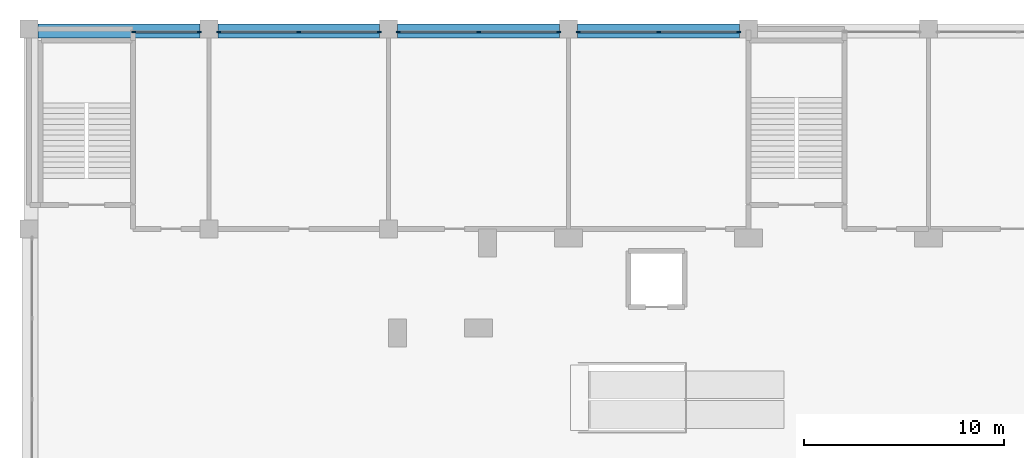
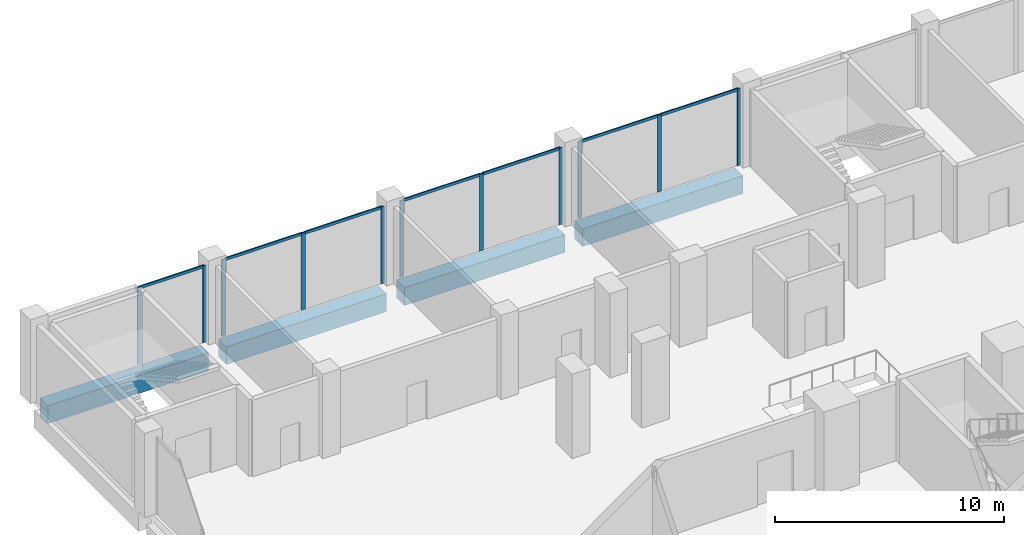
# One storey, part 10 of 22: 18 members, 4 beams, 4 elements without a shape of their own.
"""IFC4 building model written with IfcOpenShell, lengths in metres."""

import ifcopenshell
import ifcopenshell.guid

model = None  # the IFC model being written
_history = None  # IfcOwnerHistory: only IFC2X3 demands one
_inside = {}  # id of a spatial element -> (the spatial element, [elements in it])
_under = {}  # id of a project, library or spatial element -> (it, [spatial elements below it])
_declared = {}  # id of a project -> (the project, [libraries it declares])
_typed = {}  # id of a type object -> (the type object, [elements of that type])
_made_of = {}  # id of a material, layer set ... -> (it, [elements and type objects made of it])


def new_model(schema):
    """Start an empty IFC model of exactly this schema.

    Asked for "IFC4X3", IfcOpenShell would pick the latest addendum, in which some entities
    have other attributes; the version numbers below select the first issue.
    IFC2X3 requires an IfcOwnerHistory on every rooted entity: one is made here for all.
    """
    global model, _history
    if schema == "IFC4X3":
        model = ifcopenshell.file(schema_version=(4, 3, 0, 0))
    else:
        model = ifcopenshell.file(schema=schema)
    _inside.clear()
    _under.clear()
    _declared.clear()
    _typed.clear()
    _made_of.clear()
    _history = None
    if model.schema == "IFC2X3":
        org = make("IfcOrganization", Name="unknown")
        user = make(
            "IfcPersonAndOrganization",
            ThePerson=make("IfcPerson", FamilyName="unknown"),
            TheOrganization=org,
        )
        app = make(
            "IfcApplication",
            ApplicationDeveloper=org,
            Version="unknown",
            ApplicationFullName="unknown",
            ApplicationIdentifier="unknown",
        )
        _history = make(
            "IfcOwnerHistory",
            OwningUser=user,
            OwningApplication=app,
            ChangeAction="ADDED",
            CreationDate=0,
        )
    return model


def make(cls, **values):
    """One entity of the class cls with the attributes given. An attribute that is None is left unset."""
    return model.create_entity(
        cls, **{name: value for name, value in values.items() if value is not None}
    )


def rooted(cls, **values):
    """An entity with a GlobalId (a new one), such as an element, a storey or a relation."""
    return make(cls, GlobalId=ifcopenshell.guid.new(), OwnerHistory=_history, **values)


def si_unit(unit_type, name, prefix=None):
    """IfcSIUnit, for example si_unit("LENGTHUNIT", "METRE", prefix="MILLI")."""
    return make("IfcSIUnit", UnitType=unit_type, Prefix=prefix, Name=name)


def assignment(units):
    """IfcUnitAssignment: the units of a project."""
    return None if units is None else make("IfcUnitAssignment", Units=units)


def point(xyz):
    """IfcCartesianPoint."""
    return None if xyz is None else make("IfcCartesianPoint", Coordinates=xyz)


def direction(xyz):
    """IfcDirection."""
    return None if xyz is None else make("IfcDirection", DirectionRatios=xyz)


def frame(location, z_axis=None, x_axis=None):
    """IfcAxis2Placement3D, a coordinate frame: its origin and axes. An axis left out is left unset."""
    return make(
        "IfcAxis2Placement3D",
        Location=point(location),
        Axis=direction(z_axis),
        RefDirection=direction(x_axis),
    )


def frame_2d(location, x_axis=None):
    """IfcAxis2Placement2D, a coordinate frame in the plane: its origin and x axis."""
    return make(
        "IfcAxis2Placement2D", Location=point(location), RefDirection=direction(x_axis)
    )


def origin():
    """The frame at (0, 0, 0) with its axes left unset."""
    return frame((0.0, 0.0, 0.0))


def origin_2d():
    """The frame at (0, 0) in the plane with its x axis left unset."""
    return frame_2d((0.0, 0.0))


def place(relative_to, where):
    """IfcLocalPlacement: puts the frame where relative to a parent placement (None: the world)."""
    return make(
        "IfcLocalPlacement", PlacementRelTo=relative_to, RelativePlacement=where
    )


def context(
    kind, dimensions, precision=None, world=None, true_north=None, identifier=None
):
    """IfcGeometricRepresentationContext, for example the 3D "Model" context."""
    return make(
        "IfcGeometricRepresentationContext",
        ContextIdentifier=identifier,
        ContextType=kind,
        CoordinateSpaceDimension=dimensions,
        Precision=precision,
        WorldCoordinateSystem=world,
        TrueNorth=true_north,
    )


def subcontext(parent, identifier, kind, view, scale=None):
    """IfcGeometricRepresentationSubContext, for example "Body" below "Model"."""
    return make(
        "IfcGeometricRepresentationSubContext",
        ContextIdentifier=identifier,
        ContextType=kind,
        ParentContext=parent,
        TargetScale=scale,
        TargetView=view,
    )


def project(units=None, contexts=None):
    """IfcProject with its units and contexts."""
    return rooted(
        "IfcProject",
        Name="project",
        RepresentationContexts=contexts,
        UnitsInContext=assignment(units),
    )


def spatial(cls, under=None, at=None, **own):
    """A site, building, storey or space (cls), placed at a placement, below another one or the project."""
    s = rooted(cls, ObjectPlacement=at, **own)
    if under is not None:
        _under.setdefault(under.id(), (under, []))[1].append(s)
    return s


def profile(cls, at=None, kind="AREA", **sizes):
    """A parametric profile (cls). Its sizes go by their IFC names, for example OverallWidth=200.0."""
    return make(cls, ProfileType=kind, Position=at, **sizes)


def rectangle(**sizes):
    """IfcRectangleProfileDef."""
    return profile("IfcRectangleProfileDef", **sizes)


def extrude(swept, where, along, depth):
    """IfcExtrudedAreaSolid: the profile swept, set in the frame where, extruded along a direction by depth."""
    return make(
        "IfcExtrudedAreaSolid",
        SweptArea=swept,
        Position=where,
        ExtrudedDirection=direction(along),
        Depth=depth,
    )


def shape(context_of_items, identifier, shape_type, items):
    """IfcShapeRepresentation: the items that make up one representation, for example the "Body"."""
    return make(
        "IfcShapeRepresentation",
        ContextOfItems=context_of_items,
        RepresentationIdentifier=identifier,
        RepresentationType=shape_type,
        Items=items,
    )


def material(Name=None, Category=None):
    """IfcMaterial."""
    return make("IfcMaterial", Name=Name, Category=Category)


def layer(
    of_material, thickness, ventilated=None, Name=None, Category=None, Priority=None
):
    """IfcMaterialLayer: one layer of a wall or slab, of a material (None: an air gap)."""
    return make(
        "IfcMaterialLayer",
        Material=of_material,
        LayerThickness=thickness,
        IsVentilated=ventilated,
        Name=Name,
        Category=Category,
        Priority=Priority,
    )


def layer_set(layers, Name=None):
    """IfcMaterialLayerSet."""
    return make("IfcMaterialLayerSet", MaterialLayers=layers, LayerSetName=Name)


def material_profile(
    of_material, cross_section, Name=None, Category=None, Priority=None
):
    """IfcMaterialProfile: a cross section and its material."""
    return make(
        "IfcMaterialProfile",
        Name=Name,
        Material=of_material,
        Profile=cross_section,
        Priority=Priority,
        Category=Category,
    )


def profile_set(profiles, Name=None, composite=None):
    """IfcMaterialProfileSet."""
    return make(
        "IfcMaterialProfileSet",
        Name=Name,
        MaterialProfiles=profiles,
        CompositeProfile=composite,
    )


def made_of(thing, what):
    """Note that an element or type object is made of a material, layer set ...; save() writes the relation."""
    if what is not None:
        _made_of.setdefault(what.id(), (what, []))[1].append(thing)
    return thing


def type_object(cls, material=None, **own):
    """A type object (cls), such as IfcWallType, which elements share."""
    return made_of(rooted(cls, **own), material)


def element(
    cls,
    number,
    at=None,
    inside=None,
    cuts=None,
    type_object=None,
    material=None,
    context=None,
    identifier="Body",
    shape_type=None,
    held_by="IfcProductDefinitionShape",
    body=None,
    shapes=None,
    **own,
):
    """One element of the class cls, such as IfcWall. Its Tag is "e" and its number.

    at: its placement. inside: the storey or other place that contains it. cuts: it is an
    opening in that element (IfcRelVoidsElement). A single representation is given by context,
    identifier, shape_type and body (its items); several are given by shapes. held_by: the class
    of the entity that holds the representations. save() writes the other relations.
    """
    e = rooted(cls, Tag="e%d" % number, ObjectPlacement=at, **own)
    if body is not None:
        shapes = [shape(context, identifier, shape_type, body)]
    if shapes is not None:
        e.Representation = make(held_by, Representations=shapes)
    if inside is not None:
        _inside.setdefault(inside.id(), (inside, []))[1].append(e)
    if cuts is not None:
        rooted(
            "IfcRelVoidsElement", RelatingBuildingElement=cuts, RelatedOpeningElement=e
        )
    if type_object is not None:
        _typed.setdefault(type_object.id(), (type_object, []))[1].append(e)
    return made_of(e, material)


def aggregate(whole, parts):
    """IfcRelAggregates: a whole, such as a stair, and the parts it consists of."""
    return rooted("IfcRelAggregates", RelatingObject=whole, RelatedObjects=parts)


def save(model, path):
    """Write the relations noted so far, then the file.

    IfcRelAggregates (storeys below a building ...), IfcRelContainedInSpatialStructure (elements
    in a storey), IfcRelDefinesByType, IfcRelAssociatesMaterial and IfcRelDeclares: one each for
    every whole, place, type object, material and project.
    """
    for whole, parts in _under.values():
        aggregate(whole, parts)
    for where, things in _inside.values():
        rooted(
            "IfcRelContainedInSpatialStructure",
            RelatedElements=things,
            RelatingStructure=where,
        )
    for kind, things in _typed.values():
        rooted("IfcRelDefinesByType", RelatedObjects=things, RelatingType=kind)
    for what, things in _made_of.values():
        rooted("IfcRelAssociatesMaterial", RelatedObjects=things, RelatingMaterial=what)
    for by, libraries in _declared.values():
        rooted("IfcRelDeclares", RelatingContext=by, RelatedDefinitions=libraries)
    model.write(path)


model = new_model("IFC4")

# Units and contexts
model_context = context("Model", 3, precision=1e-05, world=origin(), true_north=direction((0.0, 1.0)))
body_context = subcontext(model_context, "Body", "Model", "MODEL_VIEW")
ifc_project = project(units=[si_unit("LENGTHUNIT", "METRE"), si_unit("AREAUNIT", "SQUARE_METRE"), si_unit("VOLUMEUNIT", "CUBIC_METRE"), si_unit("PLANEANGLEUNIT", "RADIAN"), si_unit("MASSUNIT", "GRAM", prefix="KILO")], contexts=[model_context])

# Site, building, storey
site_placement = place(None, origin())
site = spatial("IfcSite", under=ifc_project, at=site_placement, CompositionType="ELEMENT")
building_placement = place(site_placement, origin())
building = spatial("IfcBuilding", under=site, at=building_placement, Name="Brigalow Station Residences", CompositionType="ELEMENT")
storey_placement = place(building_placement, frame((0.0, 0.0, 6.5)))
storey = spatial("IfcBuildingStorey", under=building, at=storey_placement, Name="L01", CompositionType="ELEMENT", Elevation=6.5)

# Beams
ifc_material_1 = material(Name="Concrete C65", Category="concrete")
ifc_material_profile_1 = material_profile(ifc_material_1, rectangle(XDim=0.699951171875, YDim=0.949951171875, at=origin_2d()), Name="RC700x950")
ifc_profile_set_1 = profile_set([ifc_material_profile_1], Name="Concrete C65")
beam_type = type_object("IfcBeamType", Name="EDGE GIRDER 4.5 TO 9.9 M SPAN 700x950 C65", PredefinedType="BEAM", material=ifc_profile_set_1)
for number, where, z_axis, x_axis, name in (
    (1, (-17.550048828125, 58.39990234375, -0.876953125), (1.0, 0.0, 0.0), (0.0, 1.0, 0.0), "PODIUM EDGE GIRDER N19 L01"),
    (2, (-8.550048828125, 58.39990234375, -0.876953125), (1.0, 0.0, 0.0), (0.0, 1.0, 0.0), "PODIUM EDGE GIRDER N20 L01"),
    (3, (0.449951171875, 58.39990234375, -0.876953125), (1.0, 0.0, 0.0), (0.0, 1.0, 0.0), "PODIUM EDGE GIRDER N21 L01"),
    (4, (9.449951171875, 58.39990234375, -0.876953125), (1.0, 0.0, 0.0), (0.0, 1.0, 0.0), "PODIUM EDGE GIRDER N22 L01"),
):
    element("IfcBeam", number, at=place(storey_placement, frame(where, z_axis=z_axis, x_axis=x_axis)), inside=storey, type_object=beam_type, Name=name, PredefinedType="BEAM", context=body_context, shape_type="SweptSolid", body=[
        extrude(rectangle(XDim=0.699951171875, YDim=0.949951171875, at=origin_2d()), origin(), (0.0, 0.0, 1.0), 8.10009765625),
    ])

# Curtain wall, members
ifc_material_2 = material(Name="Aluminium", Category="aluminium")
ifc_layer = layer(ifc_material_2, 0.199951171875)
ifc_layer_set = layer_set([ifc_layer], Name="PODIUM UNITISED GLAZING CURTAIN WALL")
curtain_wall_type = type_object("IfcCurtainWallType", Name="PODIUM UNITISED GLAZING CURTAIN WALL", PredefinedType="NOTDEFINED", material=ifc_layer_set)
curtain_wall_1_placement = place(storey_placement, origin())
curtain_wall_1 = element("IfcCurtainWall", 5, at=curtain_wall_1_placement, inside=storey, type_object=curtain_wall_type, Name="L01/cw/podium-W-L01-19-14", PredefinedType="NOTDEFINED")
ifc_material_3 = material(Name="Aluminium", Category="aluminium")
ifc_material_profile_2 = material_profile(ifc_material_3, rectangle(XDim=0.06494140625, YDim=0.199951171875, at=origin_2d()), Name="PODIUM UNITISED GLAZING MULLION 65x200")
ifc_profile_set_2 = profile_set([ifc_material_profile_2], Name="Aluminium")
member_type_1 = type_object("IfcMemberType", Name="PODIUM UNITISED GLAZING MULLION 65x200", PredefinedType="MULLION", material=ifc_profile_set_2)
member_1_placement = place(storey_placement, frame((17.517578125, 58.35009765625, 0.0), z_axis=(0.0, 0.0, 1.0), x_axis=(0.0, -1.0, 0.0)))
member_1 = element("IfcMember", 6, at=member_1_placement, type_object=member_type_1, Name="L01/cw/podium-W-L01-19-14/M00", PredefinedType="MULLION", context=body_context, shape_type="SweptSolid", body=[
    extrude(rectangle(XDim=0.06494140625, YDim=0.199951171875, at=origin_2d()), origin(), (0.0, 0.0, 1.0), 4.097900390625),
])
member_2_placement = place(storey_placement, frame((13.5, 58.35009765625, 0.0), z_axis=(0.0, 0.0, 1.0), x_axis=(0.0, -1.0, 0.0)))
member_2 = element("IfcMember", 7, at=member_2_placement, type_object=member_type_1, Name="L01/cw/podium-W-L01-19-14/M01", PredefinedType="MULLION", context=body_context, shape_type="SweptSolid", body=[
    extrude(rectangle(XDim=0.06494140625, YDim=0.199951171875, at=origin_2d()), origin(), (0.0, 0.0, 1.0), 4.097900390625),
])
member_3_placement = place(storey_placement, frame((9.482421875, 58.35009765625, 0.0), z_axis=(0.0, 0.0, 1.0), x_axis=(0.0, -1.0, 0.0)))
member_3 = element("IfcMember", 8, at=member_3_placement, type_object=member_type_1, Name="L01/cw/podium-W-L01-19-14/M02", PredefinedType="MULLION", context=body_context, shape_type="SweptSolid", body=[
    extrude(rectangle(XDim=0.06494140625, YDim=0.199951171875, at=origin_2d()), origin(), (0.0, 0.0, 1.0), 4.097900390625),
])

curtain_wall_2_placement = place(storey_placement, origin())
curtain_wall_2 = element("IfcCurtainWall", 9, at=curtain_wall_2_placement, inside=storey, type_object=curtain_wall_type, Name="L01/cw/podium-W-L01-19-15", PredefinedType="NOTDEFINED")
member_4_placement = place(storey_placement, frame((8.517578125, 58.35009765625, 0.0), z_axis=(0.0, 0.0, 1.0), x_axis=(0.0, -1.0, 0.0)))
member_4 = element("IfcMember", 10, at=member_4_placement, type_object=member_type_1, Name="L01/cw/podium-W-L01-19-15/M00", PredefinedType="MULLION", context=body_context, shape_type="SweptSolid", body=[
    extrude(rectangle(XDim=0.06494140625, YDim=0.199951171875, at=origin_2d()), origin(), (0.0, 0.0, 1.0), 4.097900390625),
])
member_5_placement = place(storey_placement, frame((4.5, 58.35009765625, 0.0), z_axis=(0.0, 0.0, 1.0), x_axis=(0.0, -1.0, 0.0)))
member_5 = element("IfcMember", 11, at=member_5_placement, type_object=member_type_1, Name="L01/cw/podium-W-L01-19-15/M01", PredefinedType="MULLION", context=body_context, shape_type="SweptSolid", body=[
    extrude(rectangle(XDim=0.06494140625, YDim=0.199951171875, at=origin_2d()), origin(), (0.0, 0.0, 1.0), 4.097900390625),
])
member_6_placement = place(storey_placement, frame((0.482421875, 58.35009765625, 0.0), z_axis=(0.0, 0.0, 1.0), x_axis=(0.0, -1.0, 0.0)))
member_6 = element("IfcMember", 12, at=member_6_placement, type_object=member_type_1, Name="L01/cw/podium-W-L01-19-15/M02", PredefinedType="MULLION", context=body_context, shape_type="SweptSolid", body=[
    extrude(rectangle(XDim=0.06494140625, YDim=0.199951171875, at=origin_2d()), origin(), (0.0, 0.0, 1.0), 4.097900390625),
])

curtain_wall_3_placement = place(storey_placement, origin())
curtain_wall_3 = element("IfcCurtainWall", 13, at=curtain_wall_3_placement, inside=storey, type_object=curtain_wall_type, Name="L01/cw/podium-W-L01-19-16", PredefinedType="NOTDEFINED")
member_7_placement = place(storey_placement, frame((-0.482421875, 58.35009765625, 0.0), z_axis=(0.0, 0.0, 1.0), x_axis=(0.0, -1.0, 0.0)))
member_7 = element("IfcMember", 14, at=member_7_placement, type_object=member_type_1, Name="L01/cw/podium-W-L01-19-16/M00", PredefinedType="MULLION", context=body_context, shape_type="SweptSolid", body=[
    extrude(rectangle(XDim=0.06494140625, YDim=0.199951171875, at=origin_2d()), origin(), (0.0, 0.0, 1.0), 4.097900390625),
])
member_8_placement = place(storey_placement, frame((-4.5, 58.35009765625, 0.0), z_axis=(0.0, 0.0, 1.0), x_axis=(0.0, -1.0, 0.0)))
member_8 = element("IfcMember", 15, at=member_8_placement, type_object=member_type_1, Name="L01/cw/podium-W-L01-19-16/M01", PredefinedType="MULLION", context=body_context, shape_type="SweptSolid", body=[
    extrude(rectangle(XDim=0.06494140625, YDim=0.199951171875, at=origin_2d()), origin(), (0.0, 0.0, 1.0), 4.097900390625),
])
member_9_placement = place(storey_placement, frame((-8.517578125, 58.35009765625, 0.0), z_axis=(0.0, 0.0, 1.0), x_axis=(0.0, -1.0, 0.0)))
member_9 = element("IfcMember", 16, at=member_9_placement, type_object=member_type_1, Name="L01/cw/podium-W-L01-19-16/M02", PredefinedType="MULLION", context=body_context, shape_type="SweptSolid", body=[
    extrude(rectangle(XDim=0.06494140625, YDim=0.199951171875, at=origin_2d()), origin(), (0.0, 0.0, 1.0), 4.097900390625),
])

curtain_wall_4_placement = place(storey_placement, origin())
curtain_wall_4 = element("IfcCurtainWall", 17, at=curtain_wall_4_placement, inside=storey, type_object=curtain_wall_type, Name="L01/cw/podium-W-L01-19-17", PredefinedType="NOTDEFINED")
member_10_placement = place(storey_placement, frame((-9.482421875, 58.35009765625, 0.0), z_axis=(0.0, 0.0, 1.0), x_axis=(0.0, -1.0, 0.0)))
member_10 = element("IfcMember", 18, at=member_10_placement, type_object=member_type_1, Name="L01/cw/podium-W-L01-19-17/M00", PredefinedType="MULLION", context=body_context, shape_type="SweptSolid", body=[
    extrude(rectangle(XDim=0.06494140625, YDim=0.199951171875, at=origin_2d()), origin(), (0.0, 0.0, 1.0), 4.097900390625),
])
member_11_placement = place(storey_placement, frame((-12.767578125, 58.35009765625, 0.0), z_axis=(0.0, 0.0, 1.0), x_axis=(0.0, -1.0, 0.0)))
member_11 = element("IfcMember", 19, at=member_11_placement, type_object=member_type_1, Name="L01/cw/podium-W-L01-19-17/M01", PredefinedType="MULLION", context=body_context, shape_type="SweptSolid", body=[
    extrude(rectangle(XDim=0.06494140625, YDim=0.199951171875, at=origin_2d()), origin(), (0.0, 0.0, 1.0), 4.097900390625),
])

# Member
ifc_material_4 = material(Name="Aluminium", Category="aluminium")
ifc_material_profile_3 = material_profile(ifc_material_4, rectangle(XDim=0.06494140625, YDim=0.14990234375, at=origin_2d()), Name="PODIUM UNITISED GLAZING TRANSOM 65x150")
ifc_profile_set_3 = profile_set([ifc_material_profile_3], Name="Aluminium")
member_type_2 = type_object("IfcMemberType", Name="PODIUM UNITISED GLAZING TRANSOM 65x150", PredefinedType="USERDEFINED", material=ifc_profile_set_3)
member_12_placement = place(storey_placement, frame((17.485107421875, 58.35009765625, 4.0654296875), z_axis=(-1.0, 0.0, 0.0), x_axis=(0.0, -1.0, 0.0)))
member_12 = element("IfcMember", 20, at=member_12_placement, type_object=member_type_2, Name="L01/cw/podium-W-L01-19-14/T00-00", ObjectType="TRANSOM", PredefinedType="USERDEFINED", context=body_context, shape_type="SweptSolid", body=[
    extrude(rectangle(XDim=0.06494140625, YDim=0.14990234375, at=origin_2d()), origin(), (0.0, 0.0, 1.0), 3.95263671875),
])

member_13_placement = place(storey_placement, frame((13.467529296875, 58.35009765625, 4.0654296875), z_axis=(-1.0, 0.0, 0.0), x_axis=(0.0, -1.0, 0.0)))
member_13 = element("IfcMember", 21, at=member_13_placement, type_object=member_type_2, Name="L01/cw/podium-W-L01-19-14/T01-00", ObjectType="TRANSOM", PredefinedType="USERDEFINED", context=body_context, shape_type="SweptSolid", body=[
    extrude(rectangle(XDim=0.06494140625, YDim=0.14990234375, at=origin_2d()), origin(), (0.0, 0.0, 1.0), 3.95263671875),
])

aggregate(curtain_wall_1, [member_1, member_2, member_3, member_12, member_13])

member_14_placement = place(storey_placement, frame((8.485107421875, 58.35009765625, 4.0654296875), z_axis=(-1.0, 0.0, 0.0), x_axis=(0.0, -1.0, 0.0)))
member_14 = element("IfcMember", 22, at=member_14_placement, type_object=member_type_2, Name="L01/cw/podium-W-L01-19-15/T00-00", ObjectType="TRANSOM", PredefinedType="USERDEFINED", context=body_context, shape_type="SweptSolid", body=[
    extrude(rectangle(XDim=0.06494140625, YDim=0.14990234375, at=origin_2d()), origin(), (0.0, 0.0, 1.0), 3.95263671875),
])

member_15_placement = place(storey_placement, frame((4.467529296875, 58.35009765625, 4.0654296875), z_axis=(-1.0, 0.0, 0.0), x_axis=(0.0, -1.0, 0.0)))
member_15 = element("IfcMember", 23, at=member_15_placement, type_object=member_type_2, Name="L01/cw/podium-W-L01-19-15/T01-00", ObjectType="TRANSOM", PredefinedType="USERDEFINED", context=body_context, shape_type="SweptSolid", body=[
    extrude(rectangle(XDim=0.06494140625, YDim=0.14990234375, at=origin_2d()), origin(), (0.0, 0.0, 1.0), 3.95263671875),
])

aggregate(curtain_wall_2, [member_4, member_5, member_6, member_14, member_15])

member_16_placement = place(storey_placement, frame((-0.514892578125, 58.35009765625, 4.0654296875), z_axis=(-1.0, 0.0, 0.0), x_axis=(0.0, -1.0, 0.0)))
member_16 = element("IfcMember", 24, at=member_16_placement, type_object=member_type_2, Name="L01/cw/podium-W-L01-19-16/T00-00", ObjectType="TRANSOM", PredefinedType="USERDEFINED", context=body_context, shape_type="SweptSolid", body=[
    extrude(rectangle(XDim=0.06494140625, YDim=0.14990234375, at=origin_2d()), origin(), (0.0, 0.0, 1.0), 3.95263671875),
])

member_17_placement = place(storey_placement, frame((-4.532470703125, 58.35009765625, 4.0654296875), z_axis=(-1.0, 0.0, 0.0), x_axis=(0.0, -1.0, 0.0)))
member_17 = element("IfcMember", 25, at=member_17_placement, type_object=member_type_2, Name="L01/cw/podium-W-L01-19-16/T01-00", ObjectType="TRANSOM", PredefinedType="USERDEFINED", context=body_context, shape_type="SweptSolid", body=[
    extrude(rectangle(XDim=0.06494140625, YDim=0.14990234375, at=origin_2d()), origin(), (0.0, 0.0, 1.0), 3.95263671875),
])

aggregate(curtain_wall_3, [member_7, member_8, member_9, member_16, member_17])

member_18_placement = place(storey_placement, frame((-9.514892578125, 58.35009765625, 4.0654296875), z_axis=(-1.0, 0.0, 0.0), x_axis=(0.0, -1.0, 0.0)))
member_18 = element("IfcMember", 26, at=member_18_placement, type_object=member_type_2, Name="L01/cw/podium-W-L01-19-17/T00-00", ObjectType="TRANSOM", PredefinedType="USERDEFINED", context=body_context, shape_type="SweptSolid", body=[
    extrude(rectangle(XDim=0.06494140625, YDim=0.14990234375, at=origin_2d()), origin(), (0.0, 0.0, 1.0), 3.22021484375),
])

aggregate(curtain_wall_4, [member_10, member_11, member_18])

save(model, "model.ifc")
